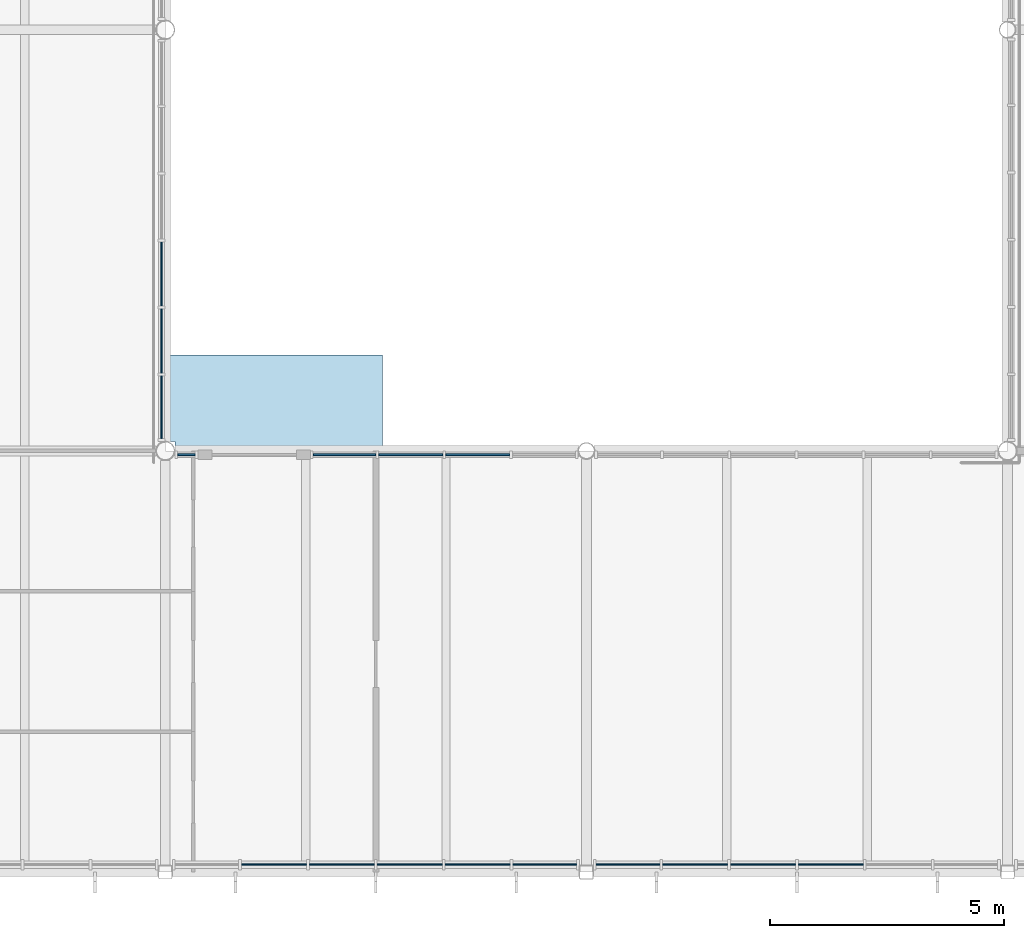
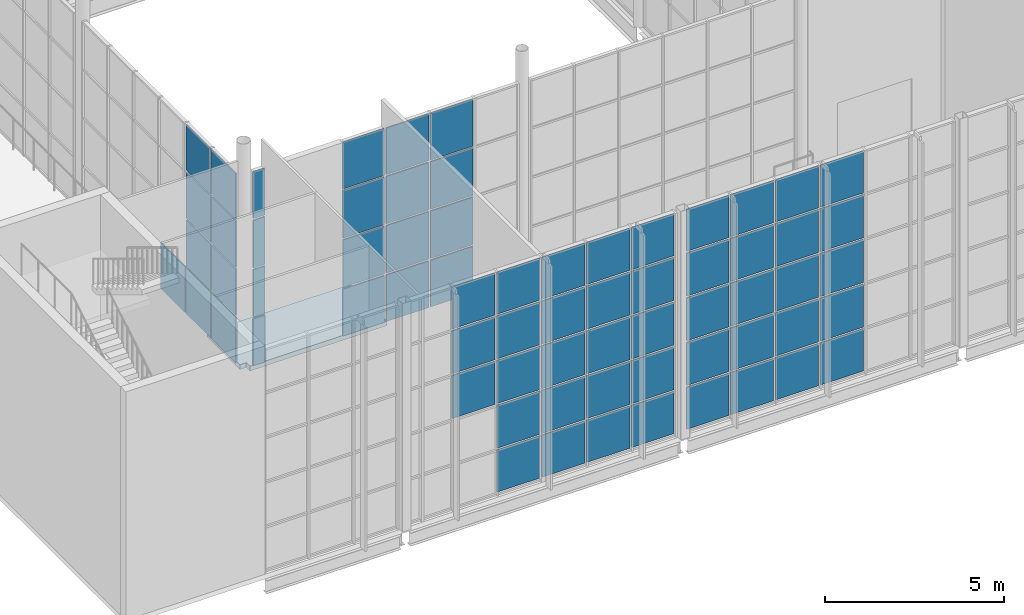
# One storey, part 69 of 90: 68 plates, 1 slab, 5 elements without a shape of their own.
"""IFC4 building model written with IfcOpenShell, lengths in metres."""

from ifc_helpers import new_model, si_unit, direction, frame, origin, origin_2d, place, context, subcontext, project, spatial, polyline, rectangle, outline, extrude, material, layer, layer_set, type_object, element, aggregate, save


model = new_model("IFC4")

# Units and contexts
model_context = context("Model", 3, precision=1e-05, world=origin(), true_north=direction((0.0, 1.0)))
body_context = subcontext(model_context, "Body", "Model", "MODEL_VIEW")
ifc_project = project(units=[si_unit("LENGTHUNIT", "METRE"), si_unit("AREAUNIT", "SQUARE_METRE"), si_unit("VOLUMEUNIT", "CUBIC_METRE"), si_unit("PLANEANGLEUNIT", "RADIAN"), si_unit("MASSUNIT", "GRAM", prefix="KILO")], contexts=[model_context])

# Site, building, storey
site_placement = place(None, origin())
site = spatial("IfcSite", under=ifc_project, at=site_placement, CompositionType="ELEMENT")
building_placement = place(site_placement, origin())
building = spatial("IfcBuilding", under=site, at=building_placement, Name="Halyard Row Museum", CompositionType="ELEMENT")
storey_placement = place(building_placement, frame((0.0, 0.0, 13.39990234375)))
storey = spatial("IfcBuildingStorey", under=building, at=storey_placement, Name="L03", CompositionType="ELEMENT", Elevation=13.39990234375)

# Curtain wall, plates
ifc_material_1 = material(Name="Double glazed unit, low-emissivity", Category="glass")
ifc_layer_1 = layer(ifc_material_1, 0.219970703125)
ifc_layer_set_1 = layer_set([ifc_layer_1], Name="Double glazed unit, low-emissivity")
curtain_wall_type_1 = type_object("IfcCurtainWallType", Name="Curtain wall unitised 220 deep", PredefinedType="NOTDEFINED", material=ifc_layer_set_1)
curtain_wall_1_placement = place(storey_placement, origin())
curtain_wall_1 = element("IfcCurtainWall", 1, at=curtain_wall_1_placement, inside=storey, type_object=curtain_wall_type_1, Name="Curtain wall CW045", PredefinedType="NOTDEFINED")
ifc_material_2 = material(Name="Double glazed unit, low-emissivity", Category="glass")
ifc_layer_2 = layer(ifc_material_2, 0.035888671875)
ifc_layer_set_2 = layer_set([ifc_layer_2], Name="Double glazed unit, low-emissivity")
plate_type_1 = type_object("IfcPlateType", Name="Curtain wall glazed panel CP3 36", PredefinedType="CURTAIN_PANEL", material=ifc_layer_set_2)
plate_1_placement = place(storey_placement, frame((83.324951171875, 0.159912109375, 3.083984375), z_axis=(0.0, 0.0, 1.0), x_axis=(1.0, 0.0, 0.0)))
plate_1 = element("IfcPlate", 2, at=plate_1_placement, type_object=plate_type_1, Name="CW045 panel 2.3", PredefinedType="CURTAIN_PANEL", context=body_context, shape_type="SweptSolid", body=[
    extrude(rectangle(XDim=1.389892578125, YDim=0.035888671875, at=origin_2d()), origin(), (0.0, 0.0, 1.0), 1.467041015625),
])
plate_2_placement = place(storey_placement, frame((83.324951171875, 0.159912109375, 4.61083984375), z_axis=(0.0, 0.0, 1.0), x_axis=(1.0, 0.0, 0.0)))
plate_2 = element("IfcPlate", 3, at=plate_2_placement, type_object=plate_type_1, Name="CW045 panel 2.4", PredefinedType="CURTAIN_PANEL", context=body_context, shape_type="SweptSolid", body=[
    extrude(rectangle(XDim=1.389892578125, YDim=0.035888671875, at=origin_2d()), origin(), (0.0, 0.0, 1.0), 1.467041015625),
])
plate_3_placement = place(storey_placement, frame((83.324951171875, 0.159912109375, 6.13818359375), z_axis=(0.0, 0.0, 1.0), x_axis=(1.0, 0.0, 0.0)))
plate_3 = element("IfcPlate", 4, at=plate_3_placement, type_object=plate_type_1, Name="CW045 panel 2.5", PredefinedType="CURTAIN_PANEL", context=body_context, shape_type="SweptSolid", body=[
    extrude(rectangle(XDim=1.389892578125, YDim=0.035888671875, at=origin_2d()), origin(), (0.0, 0.0, 1.0), 1.43701171875),
])
plate_4_placement = place(storey_placement, frame((84.77490234375, 0.159912109375, 0.06005859375), z_axis=(0.0, 0.0, 1.0), x_axis=(1.0, 0.0, 0.0)))
plate_4 = element("IfcPlate", 5, at=plate_4_placement, type_object=plate_type_1, Name="CW045 panel 3.1", PredefinedType="CURTAIN_PANEL", context=body_context, shape_type="SweptSolid", body=[
    extrude(rectangle(XDim=1.389892578125, YDim=0.035888671875, at=origin_2d()), origin(), (0.0, 0.0, 1.0), 1.43701171875),
])
plate_5_placement = place(storey_placement, frame((84.77490234375, 0.159912109375, 1.55712890625), z_axis=(0.0, 0.0, 1.0), x_axis=(1.0, 0.0, 0.0)))
plate_5 = element("IfcPlate", 6, at=plate_5_placement, type_object=plate_type_1, Name="CW045 panel 3.2", PredefinedType="CURTAIN_PANEL", context=body_context, shape_type="SweptSolid", body=[
    extrude(rectangle(XDim=1.389892578125, YDim=0.035888671875, at=origin_2d()), origin(), (0.0, 0.0, 1.0), 1.467041015625),
])
plate_6_placement = place(storey_placement, frame((84.77490234375, 0.159912109375, 3.083984375), z_axis=(0.0, 0.0, 1.0), x_axis=(1.0, 0.0, 0.0)))
plate_6 = element("IfcPlate", 7, at=plate_6_placement, type_object=plate_type_1, Name="CW045 panel 3.3", PredefinedType="CURTAIN_PANEL", context=body_context, shape_type="SweptSolid", body=[
    extrude(rectangle(XDim=1.389892578125, YDim=0.035888671875, at=origin_2d()), origin(), (0.0, 0.0, 1.0), 1.467041015625),
])
plate_7_placement = place(storey_placement, frame((84.77490234375, 0.159912109375, 4.61083984375), z_axis=(0.0, 0.0, 1.0), x_axis=(1.0, 0.0, 0.0)))
plate_7 = element("IfcPlate", 8, at=plate_7_placement, type_object=plate_type_1, Name="CW045 panel 3.4", PredefinedType="CURTAIN_PANEL", context=body_context, shape_type="SweptSolid", body=[
    extrude(rectangle(XDim=1.389892578125, YDim=0.035888671875, at=origin_2d()), origin(), (0.0, 0.0, 1.0), 1.467041015625),
])
plate_8_placement = place(storey_placement, frame((84.77490234375, 0.159912109375, 6.13818359375), z_axis=(0.0, 0.0, 1.0), x_axis=(1.0, 0.0, 0.0)))
plate_8 = element("IfcPlate", 9, at=plate_8_placement, type_object=plate_type_1, Name="CW045 panel 3.5", PredefinedType="CURTAIN_PANEL", context=body_context, shape_type="SweptSolid", body=[
    extrude(rectangle(XDim=1.389892578125, YDim=0.035888671875, at=origin_2d()), origin(), (0.0, 0.0, 1.0), 1.43701171875),
])
plate_9_placement = place(storey_placement, frame((86.22509765625, 0.159912109375, 0.06005859375), z_axis=(0.0, 0.0, 1.0), x_axis=(1.0, 0.0, 0.0)))
plate_9 = element("IfcPlate", 10, at=plate_9_placement, type_object=plate_type_1, Name="CW045 panel 4.1", PredefinedType="CURTAIN_PANEL", context=body_context, shape_type="SweptSolid", body=[
    extrude(rectangle(XDim=1.389892578125, YDim=0.035888671875, at=origin_2d()), origin(), (0.0, 0.0, 1.0), 1.43701171875),
])
plate_10_placement = place(storey_placement, frame((86.22509765625, 0.159912109375, 1.55712890625), z_axis=(0.0, 0.0, 1.0), x_axis=(1.0, 0.0, 0.0)))
plate_10 = element("IfcPlate", 11, at=plate_10_placement, type_object=plate_type_1, Name="CW045 panel 4.2", PredefinedType="CURTAIN_PANEL", context=body_context, shape_type="SweptSolid", body=[
    extrude(rectangle(XDim=1.389892578125, YDim=0.035888671875, at=origin_2d()), origin(), (0.0, 0.0, 1.0), 1.467041015625),
])
plate_11_placement = place(storey_placement, frame((86.22509765625, 0.159912109375, 3.083984375), z_axis=(0.0, 0.0, 1.0), x_axis=(1.0, 0.0, 0.0)))
plate_11 = element("IfcPlate", 12, at=plate_11_placement, type_object=plate_type_1, Name="CW045 panel 4.3", PredefinedType="CURTAIN_PANEL", context=body_context, shape_type="SweptSolid", body=[
    extrude(rectangle(XDim=1.389892578125, YDim=0.035888671875, at=origin_2d()), origin(), (0.0, 0.0, 1.0), 1.467041015625),
])
plate_12_placement = place(storey_placement, frame((86.22509765625, 0.159912109375, 4.61083984375), z_axis=(0.0, 0.0, 1.0), x_axis=(1.0, 0.0, 0.0)))
plate_12 = element("IfcPlate", 13, at=plate_12_placement, type_object=plate_type_1, Name="CW045 panel 4.4", PredefinedType="CURTAIN_PANEL", context=body_context, shape_type="SweptSolid", body=[
    extrude(rectangle(XDim=1.389892578125, YDim=0.035888671875, at=origin_2d()), origin(), (0.0, 0.0, 1.0), 1.467041015625),
])
plate_13_placement = place(storey_placement, frame((86.22509765625, 0.159912109375, 6.13818359375), z_axis=(0.0, 0.0, 1.0), x_axis=(1.0, 0.0, 0.0)))
plate_13 = element("IfcPlate", 14, at=plate_13_placement, type_object=plate_type_1, Name="CW045 panel 4.5", PredefinedType="CURTAIN_PANEL", context=body_context, shape_type="SweptSolid", body=[
    extrude(rectangle(XDim=1.389892578125, YDim=0.035888671875, at=origin_2d()), origin(), (0.0, 0.0, 1.0), 1.43701171875),
])
plate_14_placement = place(storey_placement, frame((87.675048828125, 0.159912109375, 0.06005859375), z_axis=(0.0, 0.0, 1.0), x_axis=(1.0, 0.0, 0.0)))
plate_14 = element("IfcPlate", 15, at=plate_14_placement, type_object=plate_type_1, Name="CW045 panel 5.1", PredefinedType="CURTAIN_PANEL", context=body_context, shape_type="SweptSolid", body=[
    extrude(rectangle(XDim=1.389892578125, YDim=0.035888671875, at=origin_2d()), origin(), (0.0, 0.0, 1.0), 1.43701171875),
])
plate_15_placement = place(storey_placement, frame((87.675048828125, 0.159912109375, 1.55712890625), z_axis=(0.0, 0.0, 1.0), x_axis=(1.0, 0.0, 0.0)))
plate_15 = element("IfcPlate", 16, at=plate_15_placement, type_object=plate_type_1, Name="CW045 panel 5.2", PredefinedType="CURTAIN_PANEL", context=body_context, shape_type="SweptSolid", body=[
    extrude(rectangle(XDim=1.389892578125, YDim=0.035888671875, at=origin_2d()), origin(), (0.0, 0.0, 1.0), 1.467041015625),
])
plate_16_placement = place(storey_placement, frame((87.675048828125, 0.159912109375, 3.083984375), z_axis=(0.0, 0.0, 1.0), x_axis=(1.0, 0.0, 0.0)))
plate_16 = element("IfcPlate", 17, at=plate_16_placement, type_object=plate_type_1, Name="CW045 panel 5.3", PredefinedType="CURTAIN_PANEL", context=body_context, shape_type="SweptSolid", body=[
    extrude(rectangle(XDim=1.389892578125, YDim=0.035888671875, at=origin_2d()), origin(), (0.0, 0.0, 1.0), 1.467041015625),
])
plate_17_placement = place(storey_placement, frame((87.675048828125, 0.159912109375, 4.61083984375), z_axis=(0.0, 0.0, 1.0), x_axis=(1.0, 0.0, 0.0)))
plate_17 = element("IfcPlate", 18, at=plate_17_placement, type_object=plate_type_1, Name="CW045 panel 5.4", PredefinedType="CURTAIN_PANEL", context=body_context, shape_type="SweptSolid", body=[
    extrude(rectangle(XDim=1.389892578125, YDim=0.035888671875, at=origin_2d()), origin(), (0.0, 0.0, 1.0), 1.467041015625),
])
plate_18_placement = place(storey_placement, frame((87.675048828125, 0.159912109375, 6.13818359375), z_axis=(0.0, 0.0, 1.0), x_axis=(1.0, 0.0, 0.0)))
plate_18 = element("IfcPlate", 19, at=plate_18_placement, type_object=plate_type_1, Name="CW045 panel 5.5", PredefinedType="CURTAIN_PANEL", context=body_context, shape_type="SweptSolid", body=[
    extrude(rectangle(XDim=1.389892578125, YDim=0.035888671875, at=origin_2d()), origin(), (0.0, 0.0, 1.0), 1.43701171875),
])
plate_19_placement = place(storey_placement, frame((89.110107421875, 0.159912109375, 0.06005859375), z_axis=(0.0, 0.0, 1.0), x_axis=(1.0, 0.0, 0.0)))
plate_19 = element("IfcPlate", 20, at=plate_19_placement, type_object=plate_type_1, Name="CW045 panel 6.1", PredefinedType="CURTAIN_PANEL", context=body_context, shape_type="SweptSolid", body=[
    extrude(rectangle(XDim=1.360107421875, YDim=0.035888671875, at=origin_2d()), origin(), (0.0, 0.0, 1.0), 1.43701171875),
])
plate_20_placement = place(storey_placement, frame((89.110107421875, 0.159912109375, 1.55712890625), z_axis=(0.0, 0.0, 1.0), x_axis=(1.0, 0.0, 0.0)))
plate_20 = element("IfcPlate", 21, at=plate_20_placement, type_object=plate_type_1, Name="CW045 panel 6.2", PredefinedType="CURTAIN_PANEL", context=body_context, shape_type="SweptSolid", body=[
    extrude(rectangle(XDim=1.360107421875, YDim=0.035888671875, at=origin_2d()), origin(), (0.0, 0.0, 1.0), 1.467041015625),
])
plate_21_placement = place(storey_placement, frame((89.110107421875, 0.159912109375, 3.083984375), z_axis=(0.0, 0.0, 1.0), x_axis=(1.0, 0.0, 0.0)))
plate_21 = element("IfcPlate", 22, at=plate_21_placement, type_object=plate_type_1, Name="CW045 panel 6.3", PredefinedType="CURTAIN_PANEL", context=body_context, shape_type="SweptSolid", body=[
    extrude(rectangle(XDim=1.360107421875, YDim=0.035888671875, at=origin_2d()), origin(), (0.0, 0.0, 1.0), 1.467041015625),
])
plate_22_placement = place(storey_placement, frame((89.110107421875, 0.159912109375, 4.61083984375), z_axis=(0.0, 0.0, 1.0), x_axis=(1.0, 0.0, 0.0)))
plate_22 = element("IfcPlate", 23, at=plate_22_placement, type_object=plate_type_1, Name="CW045 panel 6.4", PredefinedType="CURTAIN_PANEL", context=body_context, shape_type="SweptSolid", body=[
    extrude(rectangle(XDim=1.360107421875, YDim=0.035888671875, at=origin_2d()), origin(), (0.0, 0.0, 1.0), 1.467041015625),
])
plate_23_placement = place(storey_placement, frame((89.110107421875, 0.159912109375, 6.13818359375), z_axis=(0.0, 0.0, 1.0), x_axis=(1.0, 0.0, 0.0)))
plate_23 = element("IfcPlate", 24, at=plate_23_placement, type_object=plate_type_1, Name="CW045 panel 6.5", PredefinedType="CURTAIN_PANEL", context=body_context, shape_type="SweptSolid", body=[
    extrude(rectangle(XDim=1.360107421875, YDim=0.035888671875, at=origin_2d()), origin(), (0.0, 0.0, 1.0), 1.43701171875),
])
aggregate(curtain_wall_1, [plate_1, plate_2, plate_3, plate_4, plate_5, plate_6, plate_7, plate_8, plate_9, plate_10, plate_11, plate_12, plate_13, plate_14, plate_15, plate_16, plate_17, plate_18, plate_19, plate_20, plate_21, plate_22, plate_23])

curtain_wall_2_placement = place(storey_placement, origin())
curtain_wall_2 = element("IfcCurtainWall", 25, at=curtain_wall_2_placement, inside=storey, type_object=curtain_wall_type_1, Name="Curtain wall CW046", PredefinedType="NOTDEFINED")
plate_24_placement = place(storey_placement, frame((90.889892578125, 0.159912109375, 0.06005859375), z_axis=(0.0, 0.0, 1.0), x_axis=(1.0, 0.0, 0.0)))
plate_24 = element("IfcPlate", 26, at=plate_24_placement, type_object=plate_type_1, Name="CW046 panel 1.1", PredefinedType="CURTAIN_PANEL", context=body_context, shape_type="SweptSolid", body=[
    extrude(rectangle(XDim=1.360107421875, YDim=0.035888671875, at=origin_2d()), origin(), (0.0, 0.0, 1.0), 1.43701171875),
])
plate_25_placement = place(storey_placement, frame((90.889892578125, 0.159912109375, 1.55712890625), z_axis=(0.0, 0.0, 1.0), x_axis=(1.0, 0.0, 0.0)))
plate_25 = element("IfcPlate", 27, at=plate_25_placement, type_object=plate_type_1, Name="CW046 panel 1.2", PredefinedType="CURTAIN_PANEL", context=body_context, shape_type="SweptSolid", body=[
    extrude(rectangle(XDim=1.360107421875, YDim=0.035888671875, at=origin_2d()), origin(), (0.0, 0.0, 1.0), 1.467041015625),
])
plate_26_placement = place(storey_placement, frame((90.889892578125, 0.159912109375, 3.083984375), z_axis=(0.0, 0.0, 1.0), x_axis=(1.0, 0.0, 0.0)))
plate_26 = element("IfcPlate", 28, at=plate_26_placement, type_object=plate_type_1, Name="CW046 panel 1.3", PredefinedType="CURTAIN_PANEL", context=body_context, shape_type="SweptSolid", body=[
    extrude(rectangle(XDim=1.360107421875, YDim=0.035888671875, at=origin_2d()), origin(), (0.0, 0.0, 1.0), 1.467041015625),
])
plate_27_placement = place(storey_placement, frame((90.889892578125, 0.159912109375, 4.61083984375), z_axis=(0.0, 0.0, 1.0), x_axis=(1.0, 0.0, 0.0)))
plate_27 = element("IfcPlate", 29, at=plate_27_placement, type_object=plate_type_1, Name="CW046 panel 1.4", PredefinedType="CURTAIN_PANEL", context=body_context, shape_type="SweptSolid", body=[
    extrude(rectangle(XDim=1.360107421875, YDim=0.035888671875, at=origin_2d()), origin(), (0.0, 0.0, 1.0), 1.467041015625),
])
plate_28_placement = place(storey_placement, frame((90.889892578125, 0.159912109375, 6.13818359375), z_axis=(0.0, 0.0, 1.0), x_axis=(1.0, 0.0, 0.0)))
plate_28 = element("IfcPlate", 30, at=plate_28_placement, type_object=plate_type_1, Name="CW046 panel 1.5", PredefinedType="CURTAIN_PANEL", context=body_context, shape_type="SweptSolid", body=[
    extrude(rectangle(XDim=1.360107421875, YDim=0.035888671875, at=origin_2d()), origin(), (0.0, 0.0, 1.0), 1.43701171875),
])
plate_29_placement = place(storey_placement, frame((92.324951171875, 0.159912109375, 0.06005859375), z_axis=(0.0, 0.0, 1.0), x_axis=(1.0, 0.0, 0.0)))
plate_29 = element("IfcPlate", 31, at=plate_29_placement, type_object=plate_type_1, Name="CW046 panel 2.1", PredefinedType="CURTAIN_PANEL", context=body_context, shape_type="SweptSolid", body=[
    extrude(rectangle(XDim=1.389892578125, YDim=0.035888671875, at=origin_2d()), origin(), (0.0, 0.0, 1.0), 1.43701171875),
])
plate_30_placement = place(storey_placement, frame((92.324951171875, 0.159912109375, 1.55712890625), z_axis=(0.0, 0.0, 1.0), x_axis=(1.0, 0.0, 0.0)))
plate_30 = element("IfcPlate", 32, at=plate_30_placement, type_object=plate_type_1, Name="CW046 panel 2.2", PredefinedType="CURTAIN_PANEL", context=body_context, shape_type="SweptSolid", body=[
    extrude(rectangle(XDim=1.389892578125, YDim=0.035888671875, at=origin_2d()), origin(), (0.0, 0.0, 1.0), 1.467041015625),
])
plate_31_placement = place(storey_placement, frame((92.324951171875, 0.159912109375, 3.083984375), z_axis=(0.0, 0.0, 1.0), x_axis=(1.0, 0.0, 0.0)))
plate_31 = element("IfcPlate", 33, at=plate_31_placement, type_object=plate_type_1, Name="CW046 panel 2.3", PredefinedType="CURTAIN_PANEL", context=body_context, shape_type="SweptSolid", body=[
    extrude(rectangle(XDim=1.389892578125, YDim=0.035888671875, at=origin_2d()), origin(), (0.0, 0.0, 1.0), 1.467041015625),
])
plate_32_placement = place(storey_placement, frame((92.324951171875, 0.159912109375, 4.61083984375), z_axis=(0.0, 0.0, 1.0), x_axis=(1.0, 0.0, 0.0)))
plate_32 = element("IfcPlate", 34, at=plate_32_placement, type_object=plate_type_1, Name="CW046 panel 2.4", PredefinedType="CURTAIN_PANEL", context=body_context, shape_type="SweptSolid", body=[
    extrude(rectangle(XDim=1.389892578125, YDim=0.035888671875, at=origin_2d()), origin(), (0.0, 0.0, 1.0), 1.467041015625),
])
plate_33_placement = place(storey_placement, frame((92.324951171875, 0.159912109375, 6.13818359375), z_axis=(0.0, 0.0, 1.0), x_axis=(1.0, 0.0, 0.0)))
plate_33 = element("IfcPlate", 35, at=plate_33_placement, type_object=plate_type_1, Name="CW046 panel 2.5", PredefinedType="CURTAIN_PANEL", context=body_context, shape_type="SweptSolid", body=[
    extrude(rectangle(XDim=1.389892578125, YDim=0.035888671875, at=origin_2d()), origin(), (0.0, 0.0, 1.0), 1.43701171875),
])
plate_34_placement = place(storey_placement, frame((93.77490234375, 0.159912109375, 0.06005859375), z_axis=(0.0, 0.0, 1.0), x_axis=(1.0, 0.0, 0.0)))
plate_34 = element("IfcPlate", 36, at=plate_34_placement, type_object=plate_type_1, Name="CW046 panel 3.1", PredefinedType="CURTAIN_PANEL", context=body_context, shape_type="SweptSolid", body=[
    extrude(rectangle(XDim=1.389892578125, YDim=0.035888671875, at=origin_2d()), origin(), (0.0, 0.0, 1.0), 1.43701171875),
])
plate_35_placement = place(storey_placement, frame((93.77490234375, 0.159912109375, 1.55712890625), z_axis=(0.0, 0.0, 1.0), x_axis=(1.0, 0.0, 0.0)))
plate_35 = element("IfcPlate", 37, at=plate_35_placement, type_object=plate_type_1, Name="CW046 panel 3.2", PredefinedType="CURTAIN_PANEL", context=body_context, shape_type="SweptSolid", body=[
    extrude(rectangle(XDim=1.389892578125, YDim=0.035888671875, at=origin_2d()), origin(), (0.0, 0.0, 1.0), 1.467041015625),
])
plate_36_placement = place(storey_placement, frame((93.77490234375, 0.159912109375, 3.083984375), z_axis=(0.0, 0.0, 1.0), x_axis=(1.0, 0.0, 0.0)))
plate_36 = element("IfcPlate", 38, at=plate_36_placement, type_object=plate_type_1, Name="CW046 panel 3.3", PredefinedType="CURTAIN_PANEL", context=body_context, shape_type="SweptSolid", body=[
    extrude(rectangle(XDim=1.389892578125, YDim=0.035888671875, at=origin_2d()), origin(), (0.0, 0.0, 1.0), 1.467041015625),
])
plate_37_placement = place(storey_placement, frame((93.77490234375, 0.159912109375, 4.61083984375), z_axis=(0.0, 0.0, 1.0), x_axis=(1.0, 0.0, 0.0)))
plate_37 = element("IfcPlate", 39, at=plate_37_placement, type_object=plate_type_1, Name="CW046 panel 3.4", PredefinedType="CURTAIN_PANEL", context=body_context, shape_type="SweptSolid", body=[
    extrude(rectangle(XDim=1.389892578125, YDim=0.035888671875, at=origin_2d()), origin(), (0.0, 0.0, 1.0), 1.467041015625),
])
plate_38_placement = place(storey_placement, frame((93.77490234375, 0.159912109375, 6.13818359375), z_axis=(0.0, 0.0, 1.0), x_axis=(1.0, 0.0, 0.0)))
plate_38 = element("IfcPlate", 40, at=plate_38_placement, type_object=plate_type_1, Name="CW046 panel 3.5", PredefinedType="CURTAIN_PANEL", context=body_context, shape_type="SweptSolid", body=[
    extrude(rectangle(XDim=1.389892578125, YDim=0.035888671875, at=origin_2d()), origin(), (0.0, 0.0, 1.0), 1.43701171875),
])
plate_39_placement = place(storey_placement, frame((95.22509765625, 0.159912109375, 0.06005859375), z_axis=(0.0, 0.0, 1.0), x_axis=(1.0, 0.0, 0.0)))
plate_39 = element("IfcPlate", 41, at=plate_39_placement, type_object=plate_type_1, Name="CW046 panel 4.1", PredefinedType="CURTAIN_PANEL", context=body_context, shape_type="SweptSolid", body=[
    extrude(rectangle(XDim=1.389892578125, YDim=0.035888671875, at=origin_2d()), origin(), (0.0, 0.0, 1.0), 1.43701171875),
])
plate_40_placement = place(storey_placement, frame((95.22509765625, 0.159912109375, 1.55712890625), z_axis=(0.0, 0.0, 1.0), x_axis=(1.0, 0.0, 0.0)))
plate_40 = element("IfcPlate", 42, at=plate_40_placement, type_object=plate_type_1, Name="CW046 panel 4.2", PredefinedType="CURTAIN_PANEL", context=body_context, shape_type="SweptSolid", body=[
    extrude(rectangle(XDim=1.389892578125, YDim=0.035888671875, at=origin_2d()), origin(), (0.0, 0.0, 1.0), 1.467041015625),
])
plate_41_placement = place(storey_placement, frame((95.22509765625, 0.159912109375, 3.083984375), z_axis=(0.0, 0.0, 1.0), x_axis=(1.0, 0.0, 0.0)))
plate_41 = element("IfcPlate", 43, at=plate_41_placement, type_object=plate_type_1, Name="CW046 panel 4.3", PredefinedType="CURTAIN_PANEL", context=body_context, shape_type="SweptSolid", body=[
    extrude(rectangle(XDim=1.389892578125, YDim=0.035888671875, at=origin_2d()), origin(), (0.0, 0.0, 1.0), 1.467041015625),
])
plate_42_placement = place(storey_placement, frame((95.22509765625, 0.159912109375, 4.61083984375), z_axis=(0.0, 0.0, 1.0), x_axis=(1.0, 0.0, 0.0)))
plate_42 = element("IfcPlate", 44, at=plate_42_placement, type_object=plate_type_1, Name="CW046 panel 4.4", PredefinedType="CURTAIN_PANEL", context=body_context, shape_type="SweptSolid", body=[
    extrude(rectangle(XDim=1.389892578125, YDim=0.035888671875, at=origin_2d()), origin(), (0.0, 0.0, 1.0), 1.467041015625),
])
plate_43_placement = place(storey_placement, frame((95.22509765625, 0.159912109375, 6.13818359375), z_axis=(0.0, 0.0, 1.0), x_axis=(1.0, 0.0, 0.0)))
plate_43 = element("IfcPlate", 45, at=plate_43_placement, type_object=plate_type_1, Name="CW046 panel 4.5", PredefinedType="CURTAIN_PANEL", context=body_context, shape_type="SweptSolid", body=[
    extrude(rectangle(XDim=1.389892578125, YDim=0.035888671875, at=origin_2d()), origin(), (0.0, 0.0, 1.0), 1.43701171875),
])
aggregate(curtain_wall_2, [plate_24, plate_25, plate_26, plate_27, plate_28, plate_29, plate_30, plate_31, plate_32, plate_33, plate_34, plate_35, plate_36, plate_37, plate_38, plate_39, plate_40, plate_41, plate_42, plate_43])

ifc_material_3 = material(Name="Fire-resisting laminated glazing", Category="glass")
ifc_layer_3 = layer(ifc_material_3, 0.159912109375)
ifc_layer_set_3 = layer_set([ifc_layer_3], Name="Fire-resisting laminated glazing")
curtain_wall_type_2 = type_object("IfcCurtainWallType", Name="Curtain wall atrium screen 160 deep", PredefinedType="NOTDEFINED", material=ifc_layer_set_3)
curtain_wall_3_placement = place(storey_placement, origin())
curtain_wall_3 = element("IfcCurtainWall", 46, at=curtain_wall_3_placement, inside=storey, type_object=curtain_wall_type_2, Name="Curtain wall CW093", PredefinedType="NOTDEFINED")
ifc_material_4 = material(Name="Fire-resisting laminated glazing", Category="glass")
ifc_layer_4 = layer(ifc_material_4, 0.0400390625)
ifc_layer_set_4 = layer_set([ifc_layer_4], Name="Fire-resisting laminated glazing")
plate_type_2 = type_object("IfcPlateType", Name="Curtain wall glazed panel CP5 40", PredefinedType="CURTAIN_PANEL", material=ifc_layer_set_4)
plate_44_placement = place(storey_placement, frame((81.45166015625, 8.919921875, 0.06005859375), z_axis=(0.0, 0.0, 1.0), x_axis=(1.0, 0.0, 0.0)))
plate_44 = element("IfcPlate", 47, at=plate_44_placement, type_object=plate_type_2, Name="CW093 panel 1.1", PredefinedType="CURTAIN_PANEL", context=body_context, shape_type="SweptSolid", body=[
    extrude(rectangle(XDim=0.376708984375, YDim=0.0400390625, at=origin_2d()), origin(), (0.0, 0.0, 1.0), 1.593017578125),
])
plate_45_placement = place(storey_placement, frame((81.45166015625, 8.919921875, 1.713134765625), z_axis=(0.0, 0.0, 1.0), x_axis=(1.0, 0.0, 0.0)))
plate_45 = element("IfcPlate", 48, at=plate_45_placement, type_object=plate_type_2, Name="CW093 panel 1.2", PredefinedType="CURTAIN_PANEL", context=body_context, shape_type="SweptSolid", body=[
    extrude(rectangle(XDim=0.376708984375, YDim=0.0400390625, at=origin_2d()), origin(), (0.0, 0.0, 1.0), 1.623046875),
])
plate_46_placement = place(storey_placement, frame((81.45166015625, 8.919921875, 3.39599609375), z_axis=(0.0, 0.0, 1.0), x_axis=(1.0, 0.0, 0.0)))
plate_46 = element("IfcPlate", 49, at=plate_46_placement, type_object=plate_type_2, Name="CW093 panel 1.3", PredefinedType="CURTAIN_PANEL", context=body_context, shape_type="SweptSolid", body=[
    extrude(rectangle(XDim=0.376708984375, YDim=0.0400390625, at=origin_2d()), origin(), (0.0, 0.0, 1.0), 1.623046875),
])
plate_47_placement = place(storey_placement, frame((81.45166015625, 8.919921875, 5.0791015625), z_axis=(0.0, 0.0, 1.0), x_axis=(1.0, 0.0, 0.0)))
plate_47 = element("IfcPlate", 50, at=plate_47_placement, type_object=plate_type_2, Name="CW093 panel 1.4", PredefinedType="CURTAIN_PANEL", context=body_context, shape_type="SweptSolid", body=[
    extrude(rectangle(XDim=0.376708984375, YDim=0.0400390625, at=origin_2d()), origin(), (0.0, 0.0, 1.0), 1.593017578125),
])
aggregate(curtain_wall_3, [plate_44, plate_45, plate_46, plate_47])

curtain_wall_4_placement = place(storey_placement, origin())
curtain_wall_4 = element("IfcCurtainWall", 51, at=curtain_wall_4_placement, inside=storey, type_object=curtain_wall_type_2, Name="Curtain wall CW094", PredefinedType="NOTDEFINED")
plate_48_placement = place(storey_placement, frame((84.830322265625, 8.919921875, 0.06005859375), z_axis=(0.0, 0.0, 1.0), x_axis=(1.0, 0.0, 0.0)))
plate_48 = element("IfcPlate", 52, at=plate_48_placement, type_object=plate_type_2, Name="CW094 panel 1.1", PredefinedType="CURTAIN_PANEL", context=body_context, shape_type="SweptSolid", body=[
    extrude(rectangle(XDim=1.340576171875, YDim=0.0400390625, at=origin_2d()), origin(), (0.0, 0.0, 1.0), 1.593017578125),
])
plate_49_placement = place(storey_placement, frame((84.830322265625, 8.919921875, 1.713134765625), z_axis=(0.0, 0.0, 1.0), x_axis=(1.0, 0.0, 0.0)))
plate_49 = element("IfcPlate", 53, at=plate_49_placement, type_object=plate_type_2, Name="CW094 panel 1.2", PredefinedType="CURTAIN_PANEL", context=body_context, shape_type="SweptSolid", body=[
    extrude(rectangle(XDim=1.340576171875, YDim=0.0400390625, at=origin_2d()), origin(), (0.0, 0.0, 1.0), 1.623046875),
])
plate_50_placement = place(storey_placement, frame((84.830322265625, 8.919921875, 3.39599609375), z_axis=(0.0, 0.0, 1.0), x_axis=(1.0, 0.0, 0.0)))
plate_50 = element("IfcPlate", 54, at=plate_50_placement, type_object=plate_type_2, Name="CW094 panel 1.3", PredefinedType="CURTAIN_PANEL", context=body_context, shape_type="SweptSolid", body=[
    extrude(rectangle(XDim=1.340576171875, YDim=0.0400390625, at=origin_2d()), origin(), (0.0, 0.0, 1.0), 1.623046875),
])
plate_51_placement = place(storey_placement, frame((84.830322265625, 8.919921875, 5.0791015625), z_axis=(0.0, 0.0, 1.0), x_axis=(1.0, 0.0, 0.0)))
plate_51 = element("IfcPlate", 55, at=plate_51_placement, type_object=plate_type_2, Name="CW094 panel 1.4", PredefinedType="CURTAIN_PANEL", context=body_context, shape_type="SweptSolid", body=[
    extrude(rectangle(XDim=1.340576171875, YDim=0.0400390625, at=origin_2d()), origin(), (0.0, 0.0, 1.0), 1.593017578125),
])
plate_52_placement = place(storey_placement, frame((86.245849609375, 8.919921875, 0.06005859375), z_axis=(0.0, 0.0, 1.0), x_axis=(1.0, 0.0, 0.0)))
plate_52 = element("IfcPlate", 56, at=plate_52_placement, type_object=plate_type_2, Name="CW094 panel 2.1", PredefinedType="CURTAIN_PANEL", context=body_context, shape_type="SweptSolid", body=[
    extrude(rectangle(XDim=1.37060546875, YDim=0.0400390625, at=origin_2d()), origin(), (0.0, 0.0, 1.0), 1.593017578125),
])
plate_53_placement = place(storey_placement, frame((86.245849609375, 8.919921875, 1.713134765625), z_axis=(0.0, 0.0, 1.0), x_axis=(1.0, 0.0, 0.0)))
plate_53 = element("IfcPlate", 57, at=plate_53_placement, type_object=plate_type_2, Name="CW094 panel 2.2", PredefinedType="CURTAIN_PANEL", context=body_context, shape_type="SweptSolid", body=[
    extrude(rectangle(XDim=1.37060546875, YDim=0.0400390625, at=origin_2d()), origin(), (0.0, 0.0, 1.0), 1.623046875),
])
plate_54_placement = place(storey_placement, frame((86.245849609375, 8.919921875, 3.39599609375), z_axis=(0.0, 0.0, 1.0), x_axis=(1.0, 0.0, 0.0)))
plate_54 = element("IfcPlate", 58, at=plate_54_placement, type_object=plate_type_2, Name="CW094 panel 2.3", PredefinedType="CURTAIN_PANEL", context=body_context, shape_type="SweptSolid", body=[
    extrude(rectangle(XDim=1.37060546875, YDim=0.0400390625, at=origin_2d()), origin(), (0.0, 0.0, 1.0), 1.623046875),
])
plate_55_placement = place(storey_placement, frame((86.245849609375, 8.919921875, 5.0791015625), z_axis=(0.0, 0.0, 1.0), x_axis=(1.0, 0.0, 0.0)))
plate_55 = element("IfcPlate", 59, at=plate_55_placement, type_object=plate_type_2, Name="CW094 panel 2.4", PredefinedType="CURTAIN_PANEL", context=body_context, shape_type="SweptSolid", body=[
    extrude(rectangle(XDim=1.37060546875, YDim=0.0400390625, at=origin_2d()), origin(), (0.0, 0.0, 1.0), 1.593017578125),
])
plate_56_placement = place(storey_placement, frame((87.67626953125, 8.919921875, 0.06005859375), z_axis=(0.0, 0.0, 1.0), x_axis=(1.0, 0.0, 0.0)))
plate_56 = element("IfcPlate", 60, at=plate_56_placement, type_object=plate_type_2, Name="CW094 panel 3.1", PredefinedType="CURTAIN_PANEL", context=body_context, shape_type="SweptSolid", body=[
    extrude(rectangle(XDim=1.37060546875, YDim=0.0400390625, at=origin_2d()), origin(), (0.0, 0.0, 1.0), 1.593017578125),
])
plate_57_placement = place(storey_placement, frame((87.67626953125, 8.919921875, 1.713134765625), z_axis=(0.0, 0.0, 1.0), x_axis=(1.0, 0.0, 0.0)))
plate_57 = element("IfcPlate", 61, at=plate_57_placement, type_object=plate_type_2, Name="CW094 panel 3.2", PredefinedType="CURTAIN_PANEL", context=body_context, shape_type="SweptSolid", body=[
    extrude(rectangle(XDim=1.37060546875, YDim=0.0400390625, at=origin_2d()), origin(), (0.0, 0.0, 1.0), 1.623046875),
])
plate_58_placement = place(storey_placement, frame((87.67626953125, 8.919921875, 3.39599609375), z_axis=(0.0, 0.0, 1.0), x_axis=(1.0, 0.0, 0.0)))
plate_58 = element("IfcPlate", 62, at=plate_58_placement, type_object=plate_type_2, Name="CW094 panel 3.3", PredefinedType="CURTAIN_PANEL", context=body_context, shape_type="SweptSolid", body=[
    extrude(rectangle(XDim=1.37060546875, YDim=0.0400390625, at=origin_2d()), origin(), (0.0, 0.0, 1.0), 1.623046875),
])
plate_59_placement = place(storey_placement, frame((87.67626953125, 8.919921875, 5.0791015625), z_axis=(0.0, 0.0, 1.0), x_axis=(1.0, 0.0, 0.0)))
plate_59 = element("IfcPlate", 63, at=plate_59_placement, type_object=plate_type_2, Name="CW094 panel 3.4", PredefinedType="CURTAIN_PANEL", context=body_context, shape_type="SweptSolid", body=[
    extrude(rectangle(XDim=1.37060546875, YDim=0.0400390625, at=origin_2d()), origin(), (0.0, 0.0, 1.0), 1.593017578125),
])
aggregate(curtain_wall_4, [plate_48, plate_49, plate_50, plate_51, plate_52, plate_53, plate_54, plate_55, plate_56, plate_57, plate_58, plate_59])

curtain_wall_5_placement = place(storey_placement, origin())
curtain_wall_5 = element("IfcCurtainWall", 64, at=curtain_wall_5_placement, inside=storey, type_object=curtain_wall_type_2, Name="Curtain wall CW101", PredefinedType="NOTDEFINED")
plate_60_placement = place(storey_placement, frame((80.919921875, 12.783935546875, 0.06005859375), z_axis=(0.0, 0.0, 1.0), x_axis=(0.0, -1.0, 0.0)))
plate_60 = element("IfcPlate", 65, at=plate_60_placement, type_object=plate_type_2, Name="CW101 panel 4.1", PredefinedType="CURTAIN_PANEL", context=body_context, shape_type="SweptSolid", body=[
    extrude(rectangle(XDim=1.372314453125, YDim=0.0400390625, at=origin_2d()), origin(), (0.0, 0.0, 1.0), 1.55615234375),
])
plate_61_placement = place(storey_placement, frame((80.919921875, 11.3515625, 0.06005859375), z_axis=(0.0, 0.0, 1.0), x_axis=(0.0, -1.0, 0.0)))
plate_61 = element("IfcPlate", 66, at=plate_61_placement, type_object=plate_type_2, Name="CW101 panel 5.1", PredefinedType="CURTAIN_PANEL", context=body_context, shape_type="SweptSolid", body=[
    extrude(rectangle(XDim=1.372314453125, YDim=0.0400390625, at=origin_2d()), origin(), (0.0, 0.0, 1.0), 1.55615234375),
])
plate_62_placement = place(storey_placement, frame((80.919921875, 11.3515625, 1.67626953125), z_axis=(0.0, 0.0, 1.0), x_axis=(0.0, -1.0, 0.0)))
plate_62 = element("IfcPlate", 67, at=plate_62_placement, type_object=plate_type_2, Name="CW101 panel 5.2", PredefinedType="CURTAIN_PANEL", context=body_context, shape_type="SweptSolid", body=[
    extrude(rectangle(XDim=1.372314453125, YDim=0.0400390625, at=origin_2d()), origin(), (0.0, 0.0, 1.0), 1.586181640625),
])
plate_63_placement = place(storey_placement, frame((80.919921875, 11.3515625, 3.32275390625), z_axis=(0.0, 0.0, 1.0), x_axis=(0.0, -1.0, 0.0)))
plate_63 = element("IfcPlate", 68, at=plate_63_placement, type_object=plate_type_2, Name="CW101 panel 5.3", PredefinedType="CURTAIN_PANEL", context=body_context, shape_type="SweptSolid", body=[
    extrude(rectangle(XDim=1.372314453125, YDim=0.0400390625, at=origin_2d()), origin(), (0.0, 0.0, 1.0), 1.586181640625),
])
plate_64_placement = place(storey_placement, frame((80.919921875, 11.3515625, 4.968994140625), z_axis=(0.0, 0.0, 1.0), x_axis=(0.0, -1.0, 0.0)))
plate_64 = element("IfcPlate", 69, at=plate_64_placement, type_object=plate_type_2, Name="CW101 panel 5.4", PredefinedType="CURTAIN_PANEL", context=body_context, shape_type="SweptSolid", body=[
    extrude(rectangle(XDim=1.372314453125, YDim=0.0400390625, at=origin_2d()), origin(), (0.0, 0.0, 1.0), 1.55615234375),
])
plate_65_placement = place(storey_placement, frame((80.919921875, 9.934326171875, 0.06005859375), z_axis=(0.0, 0.0, 1.0), x_axis=(0.0, -1.0, 0.0)))
plate_65 = element("IfcPlate", 70, at=plate_65_placement, type_object=plate_type_2, Name="CW101 panel 6.1", PredefinedType="CURTAIN_PANEL", context=body_context, shape_type="SweptSolid", body=[
    extrude(rectangle(XDim=1.34228515625, YDim=0.0400390625, at=origin_2d()), origin(), (0.0, 0.0, 1.0), 1.55615234375),
])
plate_66_placement = place(storey_placement, frame((80.919921875, 9.934326171875, 1.67626953125), z_axis=(0.0, 0.0, 1.0), x_axis=(0.0, -1.0, 0.0)))
plate_66 = element("IfcPlate", 71, at=plate_66_placement, type_object=plate_type_2, Name="CW101 panel 6.2", PredefinedType="CURTAIN_PANEL", context=body_context, shape_type="SweptSolid", body=[
    extrude(rectangle(XDim=1.34228515625, YDim=0.0400390625, at=origin_2d()), origin(), (0.0, 0.0, 1.0), 1.586181640625),
])
plate_67_placement = place(storey_placement, frame((80.919921875, 9.934326171875, 3.32275390625), z_axis=(0.0, 0.0, 1.0), x_axis=(0.0, -1.0, 0.0)))
plate_67 = element("IfcPlate", 72, at=plate_67_placement, type_object=plate_type_2, Name="CW101 panel 6.3", PredefinedType="CURTAIN_PANEL", context=body_context, shape_type="SweptSolid", body=[
    extrude(rectangle(XDim=1.34228515625, YDim=0.0400390625, at=origin_2d()), origin(), (0.0, 0.0, 1.0), 1.586181640625),
])
plate_68_placement = place(storey_placement, frame((80.919921875, 9.934326171875, 4.968994140625), z_axis=(0.0, 0.0, 1.0), x_axis=(0.0, -1.0, 0.0)))
plate_68 = element("IfcPlate", 73, at=plate_68_placement, type_object=plate_type_2, Name="CW101 panel 6.4", PredefinedType="CURTAIN_PANEL", context=body_context, shape_type="SweptSolid", body=[
    extrude(rectangle(XDim=1.34228515625, YDim=0.0400390625, at=origin_2d()), origin(), (0.0, 0.0, 1.0), 1.55615234375),
])
aggregate(curtain_wall_5, [plate_60, plate_61, plate_62, plate_63, plate_64, plate_65, plate_66, plate_67, plate_68])

# Slab
ifc_material_5 = material(Name="Concrete 40 MPa", Category="concrete")
ifc_layer_5 = layer(ifc_material_5, 0.1650390625)
ifc_layer_set_5 = layer_set([ifc_layer_5], Name="Concrete 40 MPa")
slab_type = type_object("IfcSlabType", Name="Stair apron slab", PredefinedType="FLOOR", material=ifc_layer_set_5)
slab_placement = place(storey_placement, frame((0.0, 0.0, -0.164794921875)))
element("IfcSlab", 74, at=slab_placement, inside=storey, type_object=slab_type, Name="Stair apron L03 1", PredefinedType="FLOOR", context=body_context, shape_type="SweptSolid", body=[
    extrude(outline(polyline([(81.0, 11.050048828125), (85.64306640625, 11.050048828125), (85.64306640625, 9.0), (81.203125, 9.0), (81.203125, 9.203125), (81.0, 9.203125), (81.0, 11.050048828125)])), origin(), (0.0, 0.0, 1.0), 0.164794921875),
])

save(model, "model.ifc")
